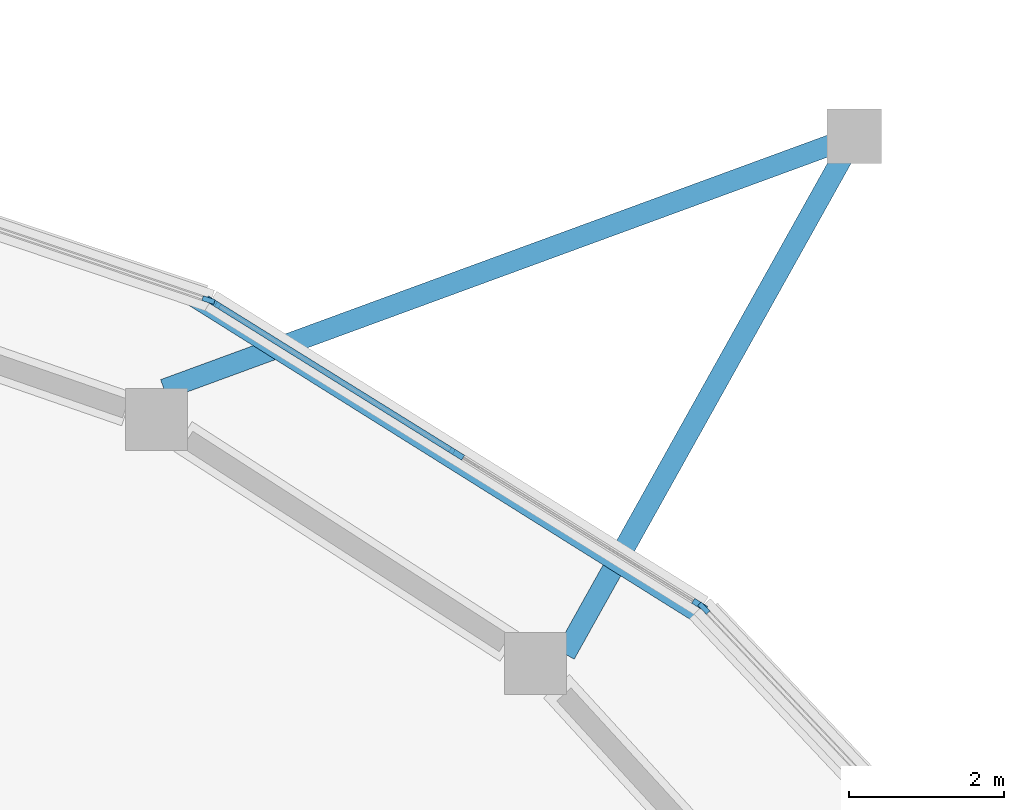
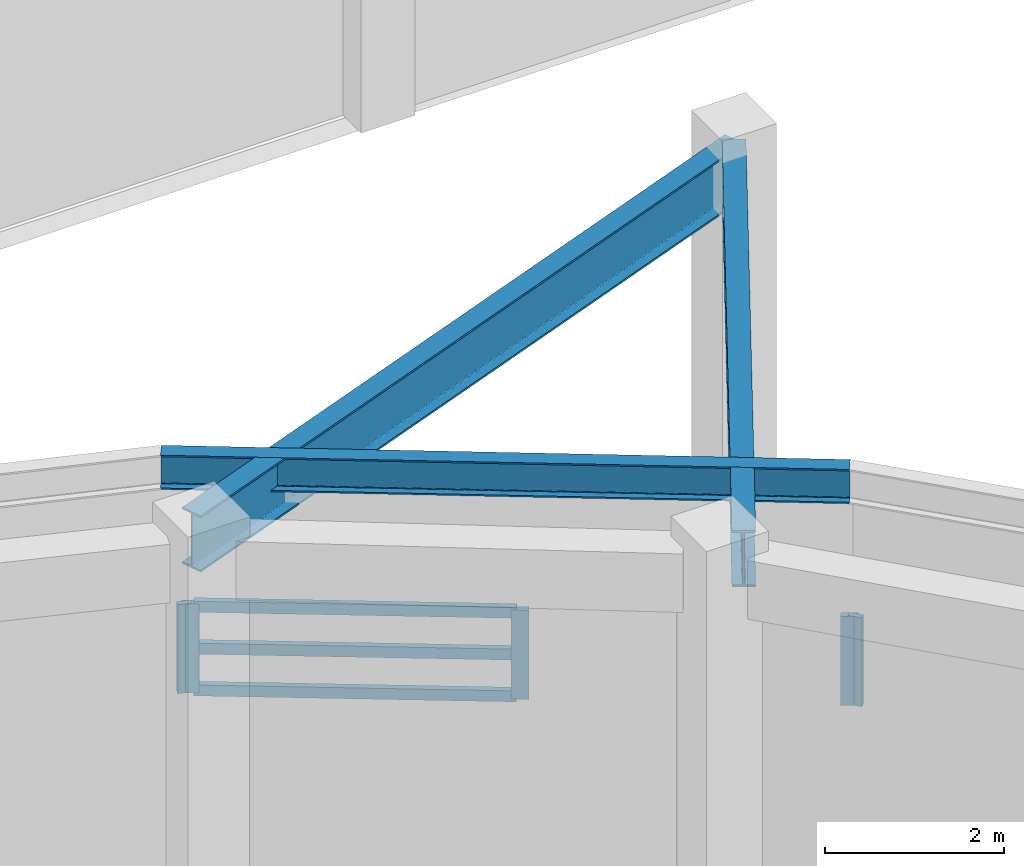
# One storey, part 18 of 58: 8 members, 3 beams, 3 elements without a shape of their own.
"""IFC4 building model written with IfcOpenShell, lengths in metres."""

from ifc_helpers import new_model, si_unit, direction, frame, origin, origin_2d, place, context, subcontext, project, spatial, rectangle, i_section, extrude, material, material_profile, profile_set, type_object, element, aggregate, save


model = new_model("IFC4")

# Units and contexts
model_context = context("Model", 3, precision=1e-05, world=origin(), true_north=direction((0.0, 1.0)))
body_context = subcontext(model_context, "Body", "Model", "MODEL_VIEW")
ifc_project = project(units=[si_unit("LENGTHUNIT", "METRE"), si_unit("AREAUNIT", "SQUARE_METRE"), si_unit("VOLUMEUNIT", "CUBIC_METRE"), si_unit("PLANEANGLEUNIT", "RADIAN"), si_unit("MASSUNIT", "GRAM", prefix="KILO")], contexts=[model_context])

# Site, building, storey
site_placement = place(None, origin())
site = spatial("IfcSite", under=ifc_project, at=site_placement, CompositionType="ELEMENT")
building_placement = place(site_placement, origin())
building = spatial("IfcBuilding", under=site, at=building_placement, Name="Parian Resonance Hall", CompositionType="ELEMENT")
storey_placement = place(building_placement, frame((0.0, 0.0, 10.199951171875)))
storey = spatial("IfcBuildingStorey", under=building, at=storey_placement, Name="L02", CompositionType="ELEMENT", Elevation=10.199951171875)

# Beams
ifc_material_1 = material(Name="Steel S355", Category="steel")
ifc_material_profile_1 = material_profile(ifc_material_1, i_section(OverallWidth=0.194091796875, OverallDepth=0.468994140625, WebThickness=0.0126953125, FlangeThickness=0.0205078125, FilletRadius=0.01513671875, at=origin_2d()), Name="W460x106")
ifc_profile_set_1 = profile_set([ifc_material_profile_1], Name="Steel S355")
beam_type_1 = type_object("IfcBeamType", Name="BM-W460x106", PredefinedType="SPANDREL", material=ifc_profile_set_1)
beam_1_placement = place(storey_placement, frame((62.74462890625, 58.643310546875, 4.265625), z_axis=(-0.847434839889, 0.530899418103, 0.0), x_axis=(-0.530899418103, -0.847434839889, 0.0)))
element("IfcBeam", 1, at=beam_1_placement, inside=storey, type_object=beam_type_1, Name="Elliptical R3 perimeter spandrel beam 04", PredefinedType="SPANDREL", context=body_context, shape_type="SweptSolid", body=[
    extrude(i_section(OverallWidth=0.194091796875, OverallDepth=0.468994140625, WebThickness=0.0126953125, FlangeThickness=0.0205078125, FilletRadius=0.01513671875, at=origin_2d()), origin(), (0.0, 0.0, 1.0), 7.722900390625),
])
ifc_material_2 = material(Name="Steel S355", Category="steel")
ifc_material_profile_2 = material_profile(ifc_material_2, i_section(OverallWidth=0.26806640625, OverallDepth=0.77001953125, WebThickness=0.015625, FlangeThickness=0.025390625, FilletRadius=0.020263671875, at=origin_2d()), Name="W760x196")
ifc_profile_set_2 = profile_set([ifc_material_profile_2], Name="Steel S355")
beam_type_2 = type_object("IfcBeamType", Name="CG3 W760x196", PredefinedType="USERDEFINED", material=ifc_profile_set_2)
beam_2_placement = place(storey_placement, frame((61.069580078125, 58.1201171875, 4.114990234375), z_axis=(0.4875788931, 0.87307893286, 0.0), x_axis=(-0.87307893286, 0.4875788931, 0.0)))
element("IfcBeam", 2, at=beam_2_placement, inside=storey, type_object=beam_type_2, Name="Radial spine girder R3-04", ObjectType="GIRDER", PredefinedType="USERDEFINED", context=body_context, shape_type="SweptSolid", body=[
    extrude(i_section(OverallWidth=0.26806640625, OverallDepth=0.77001953125, WebThickness=0.015625, FlangeThickness=0.025390625, FilletRadius=0.020263671875, at=origin_2d()), origin(), (0.0, 0.0, 1.0), 7.651123046875),
])
beam_3_placement = place(storey_placement, frame((55.897216796875, 61.535400390625, 4.114990234375), z_axis=(0.938866884447, 0.344280370176, 0.0), x_axis=(-0.344280370176, 0.938866884447, 0.0)))
element("IfcBeam", 3, at=beam_3_placement, inside=storey, type_object=beam_type_2, Name="Radial spine girder R3-05", ObjectType="GIRDER", PredefinedType="USERDEFINED", context=body_context, shape_type="SweptSolid", body=[
    extrude(i_section(OverallWidth=0.26806640625, OverallDepth=0.77001953125, WebThickness=0.015625, FlangeThickness=0.025390625, FilletRadius=0.020263671875, at=origin_2d()), origin(), (0.0, 0.0, 1.0), 9.482421875),
])

# Curtain wall, member
ifc_material_3 = material(Name="Bronze-anodised aluminium frame", Category="aluminium")
curtain_wall_type_1 = type_object("IfcCurtainWallType", Name="CW-SYS-04", PredefinedType="NOTDEFINED", material=ifc_material_3)
curtain_wall_1_placement = place(storey_placement, origin())
curtain_wall_1 = element("IfcCurtainWall", 4, at=curtain_wall_1_placement, inside=storey, type_object=curtain_wall_type_1, Name="Elliptical R2 recessed strip curtain wall 03", PredefinedType="NOTDEFINED")
ifc_material_4 = material(Name="Bronze-anodised aluminium frame", Category="aluminium")
ifc_material_profile_3 = material_profile(ifc_material_4, rectangle(XDim=0.06494140625, YDim=0.159912109375, at=origin_2d()), Name="CWM-65x160")
ifc_profile_set_3 = profile_set([ifc_material_profile_3], Name="Bronze-anodised aluminium frame")
member_type_1 = type_object("IfcMemberType", Name="CWM-65x160", PredefinedType="MULLION", material=ifc_profile_set_3)
member_1_placement = place(storey_placement, frame((62.85986328125, 58.712646484375, 1.14208984375), z_axis=(0.0, 0.0, 1.0), x_axis=(0.72616255486, 0.687523049737, 0.0)))
member_1 = element("IfcMember", 5, at=member_1_placement, type_object=member_type_1, Name="CW-04 mullion 1", PredefinedType="MULLION", context=body_context, shape_type="SweptSolid", body=[
    extrude(rectangle(XDim=0.06494140625, YDim=0.159912109375, at=origin_2d()), origin(), (0.0, 0.0, 1.0), 1.218017578125),
])
aggregate(curtain_wall_1, [member_1])

ifc_material_5 = material(Name="Bronze-anodised aluminium frame", Category="aluminium")
curtain_wall_type_2 = type_object("IfcCurtainWallType", Name="CW-SYS-06", PredefinedType="NOTDEFINED", material=ifc_material_5)
curtain_wall_2_placement = place(storey_placement, origin())
curtain_wall_2 = element("IfcCurtainWall", 6, at=curtain_wall_2_placement, inside=storey, type_object=curtain_wall_type_2, Name="Elliptical R2 recessed strip curtain wall 05", PredefinedType="NOTDEFINED")
member_2_placement = place(storey_placement, frame((56.46923828125, 62.687744140625, 1.14208984375), z_axis=(0.0, 0.0, 1.0), x_axis=(0.318257900904, 0.948004171147, 0.0)))
member_2 = element("IfcMember", 7, at=member_2_placement, type_object=member_type_1, Name="CW-06 mullion 3", PredefinedType="MULLION", context=body_context, shape_type="SweptSolid", body=[
    extrude(rectangle(XDim=0.06494140625, YDim=0.159912109375, at=origin_2d()), origin(), (0.0, 0.0, 1.0), 1.218017578125),
])
aggregate(curtain_wall_2, [member_2])

# Curtain wall, members
ifc_material_6 = material(Name="Bronze-anodised aluminium frame", Category="aluminium")
curtain_wall_type_3 = type_object("IfcCurtainWallType", Name="CW-SYS-05", PredefinedType="NOTDEFINED", material=ifc_material_6)
curtain_wall_3_placement = place(storey_placement, origin())
curtain_wall_3 = element("IfcCurtainWall", 8, at=curtain_wall_3_placement, inside=storey, type_object=curtain_wall_type_3, Name="Elliptical R2 recessed strip curtain wall 04", PredefinedType="NOTDEFINED")
ifc_material_7 = material(Name="Bronze-anodised aluminium frame", Category="aluminium")
ifc_material_profile_4 = material_profile(ifc_material_7, rectangle(XDim=0.074951171875, YDim=0.199951171875, at=origin_2d()), Name="CWM-75x200")
ifc_profile_set_4 = profile_set([ifc_material_profile_4], Name="Bronze-anodised aluminium frame")
member_type_2 = type_object("IfcMemberType", Name="CWM-75x200", PredefinedType="MULLION", material=ifc_profile_set_4)
member_3_placement = place(storey_placement, frame((56.53173828125, 62.65771484375, 1.14208984375), z_axis=(0.0, 0.0, 1.0), x_axis=(0.528095800526, 0.849184800539, 0.0)))
member_3 = element("IfcMember", 9, at=member_3_placement, type_object=member_type_2, Name="CW-05 mullion 1", PredefinedType="MULLION", context=body_context, shape_type="SweptSolid", body=[
    extrude(rectangle(XDim=0.074951171875, YDim=0.199951171875, at=origin_2d()), origin(), (0.0, 0.0, 1.0), 1.218017578125),
])
member_4_placement = place(storey_placement, frame((59.668701171875, 60.706787109375, 1.14208984375), z_axis=(0.0, 0.0, 1.0), x_axis=(0.528095800526, 0.849184800539, 0.0)))
member_4 = element("IfcMember", 10, at=member_4_placement, type_object=member_type_2, Name="CW-05 mullion 2", PredefinedType="MULLION", context=body_context, shape_type="SweptSolid", body=[
    extrude(rectangle(XDim=0.074951171875, YDim=0.199951171875, at=origin_2d()), origin(), (0.0, 0.0, 1.0), 1.218017578125),
])
member_5_placement = place(storey_placement, frame((62.8056640625, 58.756103515625, 1.14208984375), z_axis=(0.0, 0.0, 1.0), x_axis=(0.528095800526, 0.849184800539, 0.0)))
member_5 = element("IfcMember", 11, at=member_5_placement, type_object=member_type_2, Name="CW-05 mullion 3", PredefinedType="MULLION", context=body_context, shape_type="SweptSolid", body=[
    extrude(rectangle(XDim=0.074951171875, YDim=0.199951171875, at=origin_2d()), origin(), (0.0, 0.0, 1.0), 1.218017578125),
])
ifc_material_8 = material(Name="Bronze-anodised aluminium frame", Category="aluminium")
ifc_material_profile_5 = material_profile(ifc_material_8, rectangle(XDim=0.074951171875, YDim=0.14990234375, at=origin_2d()), Name="CWT-75x150")
ifc_profile_set_5 = profile_set([ifc_material_profile_5], Name="Bronze-anodised aluminium frame")
member_type_3 = type_object("IfcMemberType", Name="CWT-75x150", PredefinedType="USERDEFINED", material=ifc_profile_set_5)
member_6_placement = place(storey_placement, frame((56.563720703125, 62.6376953125, 1.179443359375), z_axis=(0.849193753798, -0.528081403299, 0.0), x_axis=(0.528081403299, 0.849193753798, 0.0)))
member_6 = element("IfcMember", 12, at=member_6_placement, type_object=member_type_3, Name="CW-05 transom 1.1", ObjectType="TRANSOM", PredefinedType="USERDEFINED", context=body_context, shape_type="SweptSolid", body=[
    extrude(rectangle(XDim=0.074951171875, YDim=0.14990234375, at=origin_2d()), origin(), (0.0, 0.0, 1.0), 3.618896484375),
])
member_7_placement = place(storey_placement, frame((56.563720703125, 62.6376953125, 1.75), z_axis=(0.849193753798, -0.528081403299, 0.0), x_axis=(0.528081403299, 0.849193753798, 0.0)))
member_7 = element("IfcMember", 13, at=member_7_placement, type_object=member_type_3, Name="CW-05 transom 1.2", ObjectType="TRANSOM", PredefinedType="USERDEFINED", context=body_context, shape_type="SweptSolid", body=[
    extrude(rectangle(XDim=0.074951171875, YDim=0.14990234375, at=origin_2d()), origin(), (0.0, 0.0, 1.0), 3.618896484375),
])
member_8_placement = place(storey_placement, frame((56.563720703125, 62.6376953125, 2.322509765625), z_axis=(0.849193753798, -0.528081403299, 0.0), x_axis=(0.528081403299, 0.849193753798, 0.0)))
member_8 = element("IfcMember", 14, at=member_8_placement, type_object=member_type_3, Name="CW-05 transom 1.3", ObjectType="TRANSOM", PredefinedType="USERDEFINED", context=body_context, shape_type="SweptSolid", body=[
    extrude(rectangle(XDim=0.074951171875, YDim=0.14990234375, at=origin_2d()), origin(), (0.0, 0.0, 1.0), 3.618896484375),
])
aggregate(curtain_wall_3, [member_3, member_4, member_5, member_6, member_7, member_8])

save(model, "model.ifc")
